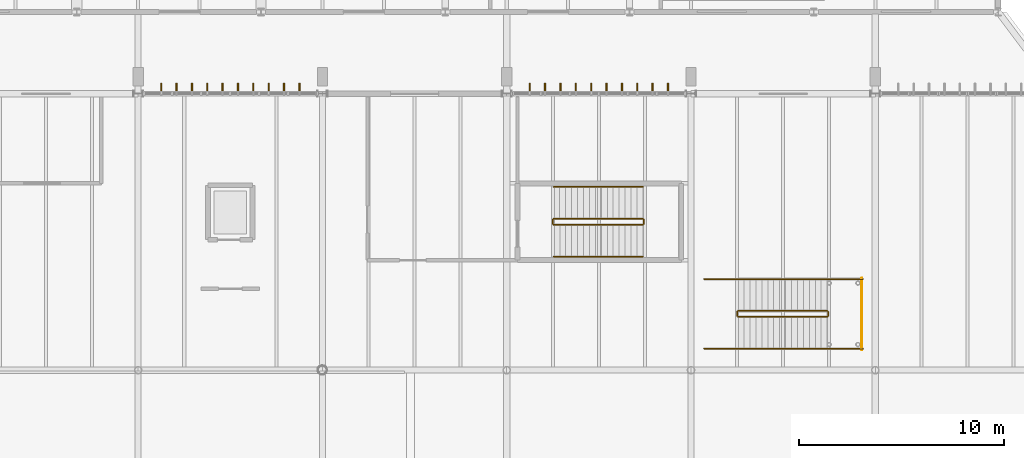
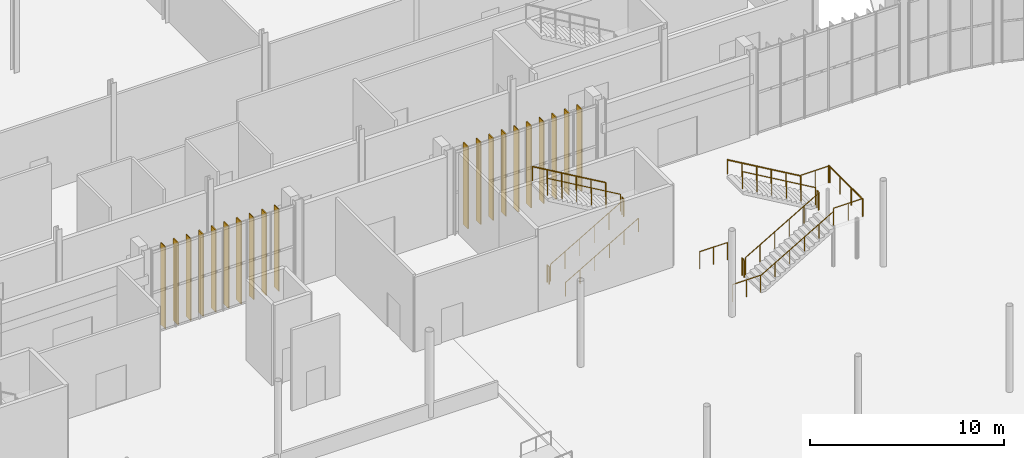
# One storey, part 149 of 158: 20 coverings, 17 railings.
"""IFC4 building model written with IfcOpenShell, lengths in metres."""

from ifc_helpers import new_model, si_unit, derived_unit, direction, frame, origin, origin_2d, place, context, subcontext, project, spatial, rectangle, circle, extrude, material, layer, layer_set, type_object, element, save


model = new_model("IFC4")

# Units and contexts
model_context = context("Model", 3, precision=1e-05, world=origin(), true_north=direction((0.0, 1.0)))
body_context = subcontext(model_context, "Body", "Model", "MODEL_VIEW")
ifc_project = project(units=[si_unit("LENGTHUNIT", "METRE"), si_unit("AREAUNIT", "SQUARE_METRE"), si_unit("VOLUMEUNIT", "CUBIC_METRE"), si_unit("PLANEANGLEUNIT", "RADIAN"), si_unit("MASSUNIT", "GRAM", prefix="KILO"), si_unit("THERMODYNAMICTEMPERATUREUNIT", "KELVIN"), si_unit("TIMEUNIT", "SECOND"), derived_unit("THERMALTRANSMITTANCEUNIT", [(si_unit("MASSUNIT", "GRAM", prefix="KILO"), 1), (si_unit("THERMODYNAMICTEMPERATUREUNIT", "KELVIN"), -1), (si_unit("TIMEUNIT", "SECOND"), -3)])], contexts=[model_context])

# Site, building, storey
site_placement = place(None, origin())
site = spatial("IfcSite", under=ifc_project, at=site_placement, CompositionType="ELEMENT")
building_placement = place(site_placement, origin())
building = spatial("IfcBuilding", under=site, at=building_placement, Name="Cambertide Market Hall", CompositionType="ELEMENT")
storey_placement = place(building_placement, origin())
storey = spatial("IfcBuildingStorey", under=building, at=storey_placement, Name="L01", CompositionType="ELEMENT", Elevation=0.0)

# Railings
ifc_material_1 = material(Name="Stainless Steel Grade 316", Category="metal")
railing_type_1 = type_object("IfcRailingType", Name="Stair Wall Handrail 900", PredefinedType="HANDRAIL", material=ifc_material_1)
railing_1_placement = place(storey_placement, frame((80.300048828125, 84.050048828125, 0.168701171875)))
element("IfcRailing", 1, at=railing_1_placement, inside=storey, type_object=railing_type_1, Name="Level 1 ST-01B stair handrail 1", PredefinedType="HANDRAIL", context=body_context, shape_type="SweptSolid", body=[
    extrude(circle(Radius=0.02392578125, at=origin_2d()), frame((0.0, 0.0, 0.8759765625), z_axis=(0.864311530196, 0.0, 0.502956835891), x_axis=(0.0, 1.0, 0.0)), (0.0, 0.0, 1.0), 5.03271484375),
    extrude(circle(Radius=0.02099609375, at=origin_2d()), origin(), (0.0, 0.0, 1.0), 0.851806640625),
    extrude(circle(Radius=0.02099609375, at=origin_2d()), frame((0.869873046875, 0.0, 0.50634765625)), (0.0, 0.0, 1.0), 0.851806640625),
    extrude(circle(Radius=0.02099609375, at=origin_2d()), frame((1.739990234375, 0.0, 1.012451171875)), (0.0, 0.0, 1.0), 0.851806640625),
    extrude(circle(Radius=0.02099609375, at=origin_2d()), frame((2.60986328125, 0.0, 1.518798828125)), (0.0, 0.0, 1.0), 0.851806640625),
    extrude(circle(Radius=0.02099609375, at=origin_2d()), frame((3.47998046875, 0.0, 2.02490234375)), (0.0, 0.0, 1.0), 0.851806640625),
    extrude(circle(Radius=0.02099609375, at=origin_2d()), frame((4.349853515625, 0.0, 2.53125)), (0.0, 0.0, 1.0), 0.851806640625),
])
railing_2_placement = place(storey_placement, frame((84.64990234375, 87.449951171875, 2.86865234375)))
element("IfcRailing", 2, at=railing_2_placement, inside=storey, type_object=railing_type_1, Name="Level 1 ST-01B stair handrail 2", PredefinedType="HANDRAIL", context=body_context, shape_type="SweptSolid", body=[
    extrude(circle(Radius=0.02392578125, at=origin_2d()), frame((0.0, 0.0, 0.8759765625), z_axis=(-0.864311530196, 0.0, 0.502956835891), x_axis=(0.0, -1.0, 0.0)), (0.0, 0.0, 1.0), 5.03271484375),
    extrude(circle(Radius=0.02099609375, at=origin_2d()), origin(), (0.0, 0.0, 1.0), 0.851806640625),
    extrude(circle(Radius=0.02099609375, at=origin_2d()), frame((-0.869873046875, 0.0, 0.50634765625)), (0.0, 0.0, 1.0), 0.851806640625),
    extrude(circle(Radius=0.02099609375, at=origin_2d()), frame((-1.739990234375, 0.0, 1.012451171875)), (0.0, 0.0, 1.0), 0.851806640625),
    extrude(circle(Radius=0.02099609375, at=origin_2d()), frame((-2.60986328125, 0.0, 1.518798828125)), (0.0, 0.0, 1.0), 0.851806640625),
    extrude(circle(Radius=0.02099609375, at=origin_2d()), frame((-3.47998046875, 0.0, 2.02490234375)), (0.0, 0.0, 1.0), 0.851806640625),
    extrude(circle(Radius=0.02099609375, at=origin_2d()), frame((-4.349853515625, 0.0, 2.53125)), (0.0, 0.0, 1.0), 0.851806640625),
])
railing_3_placement = place(storey_placement, frame((89.300048828125, 79.550048828125, 0.168701171875)))
element("IfcRailing", 3, at=railing_3_placement, inside=storey, type_object=railing_type_1, Name="Level 1 ST-11 stair handrail 1", PredefinedType="HANDRAIL", context=body_context, shape_type="SweptSolid", body=[
    extrude(circle(Radius=0.02392578125, at=origin_2d()), frame((0.0, 0.0, 0.8759765625), z_axis=(0.864311530196, 0.0, 0.502956835891), x_axis=(0.0, 1.0, 0.0)), (0.0, 0.0, 1.0), 5.03271484375),
    extrude(circle(Radius=0.02099609375, at=origin_2d()), origin(), (0.0, 0.0, 1.0), 0.851806640625),
    extrude(circle(Radius=0.02099609375, at=origin_2d()), frame((0.869873046875, 0.0, 0.50634765625)), (0.0, 0.0, 1.0), 0.851806640625),
    extrude(circle(Radius=0.02099609375, at=origin_2d()), frame((1.739990234375, 0.0, 1.012451171875)), (0.0, 0.0, 1.0), 0.851806640625),
    extrude(circle(Radius=0.02099609375, at=origin_2d()), frame((2.60986328125, 0.0, 1.518798828125)), (0.0, 0.0, 1.0), 0.851806640625),
    extrude(circle(Radius=0.02099609375, at=origin_2d()), frame((3.47998046875, 0.0, 2.02490234375)), (0.0, 0.0, 1.0), 0.851806640625),
    extrude(circle(Radius=0.02099609375, at=origin_2d()), frame((4.349853515625, 0.0, 2.53125)), (0.0, 0.0, 1.0), 0.851806640625),
])
railing_4_placement = place(storey_placement, frame((93.64990234375, 82.949951171875, 2.86865234375)))
element("IfcRailing", 4, at=railing_4_placement, inside=storey, type_object=railing_type_1, Name="Level 1 ST-11 stair handrail 2", PredefinedType="HANDRAIL", context=body_context, shape_type="SweptSolid", body=[
    extrude(circle(Radius=0.02392578125, at=origin_2d()), frame((0.0, 0.0, 0.8759765625), z_axis=(-0.864311530196, 0.0, 0.502956835891), x_axis=(0.0, -1.0, 0.0)), (0.0, 0.0, 1.0), 5.03271484375),
    extrude(circle(Radius=0.02099609375, at=origin_2d()), origin(), (0.0, 0.0, 1.0), 0.851806640625),
    extrude(circle(Radius=0.02099609375, at=origin_2d()), frame((-0.869873046875, 0.0, 0.50634765625)), (0.0, 0.0, 1.0), 0.851806640625),
    extrude(circle(Radius=0.02099609375, at=origin_2d()), frame((-1.739990234375, 0.0, 1.012451171875)), (0.0, 0.0, 1.0), 0.851806640625),
    extrude(circle(Radius=0.02099609375, at=origin_2d()), frame((-2.60986328125, 0.0, 1.518798828125)), (0.0, 0.0, 1.0), 0.851806640625),
    extrude(circle(Radius=0.02099609375, at=origin_2d()), frame((-3.47998046875, 0.0, 2.02490234375)), (0.0, 0.0, 1.0), 0.851806640625),
    extrude(circle(Radius=0.02099609375, at=origin_2d()), frame((-4.349853515625, 0.0, 2.53125)), (0.0, 0.0, 1.0), 0.851806640625),
])
ifc_material_2 = material(Name="Stainless Steel Grade 316", Category="metal")
railing_type_2 = type_object("IfcRailingType", Name="Stairwell Inner Guardrail 1100", PredefinedType="GUARDRAIL", material=ifc_material_2)
railing_5_placement = place(storey_placement, frame((80.300048828125, 85.60009765625, 0.168701171875)))
element("IfcRailing", 5, at=railing_5_placement, inside=storey, type_object=railing_type_2, Name="Level 1 ST-01B stair guard 1", PredefinedType="GUARDRAIL", context=body_context, shape_type="SweptSolid", body=[
    extrude(circle(Radius=0.02392578125, at=origin_2d()), frame((0.0, 0.0, 1.076171875), z_axis=(0.864311530196, 0.0, 0.502956835891), x_axis=(0.0, 1.0, 0.0)), (0.0, 0.0, 1.0), 5.03271484375),
    extrude(circle(Radius=0.02099609375, at=origin_2d()), origin(), (0.0, 0.0, 1.0), 1.052001953125),
    extrude(circle(Radius=0.02099609375, at=origin_2d()), frame((0.869873046875, 0.0, 0.50634765625)), (0.0, 0.0, 1.0), 1.052001953125),
    extrude(circle(Radius=0.02099609375, at=origin_2d()), frame((1.739990234375, 0.0, 1.012451171875)), (0.0, 0.0, 1.0), 1.052001953125),
    extrude(circle(Radius=0.02099609375, at=origin_2d()), frame((2.60986328125, 0.0, 1.518798828125)), (0.0, 0.0, 1.0), 1.052001953125),
    extrude(circle(Radius=0.02099609375, at=origin_2d()), frame((3.47998046875, 0.0, 2.02490234375)), (0.0, 0.0, 1.0), 1.052001953125),
    extrude(circle(Radius=0.02099609375, at=origin_2d()), frame((4.349853515625, 0.0, 2.53125)), (0.0, 0.0, 1.0), 1.052001953125),
])
railing_6_placement = place(storey_placement, frame((84.699951171875, 85.64990234375, 2.699951171875)))
element("IfcRailing", 6, at=railing_6_placement, inside=storey, type_object=railing_type_2, Name="Level 1 ST-01B stair guard 2", PredefinedType="GUARDRAIL", context=body_context, shape_type="SweptSolid", body=[
    extrude(circle(Radius=0.02392578125, at=origin_2d()), frame((0.0, 0.0, 1.076171875), z_axis=(0.0, 1.0, 0.0), x_axis=(-1.0, 0.0, 0.0)), (0.0, 0.0, 1.0), 0.2001953125),
    extrude(circle(Radius=0.02099609375, at=origin_2d()), origin(), (0.0, 0.0, 1.0), 1.052001953125),
    extrude(circle(Radius=0.02099609375, at=origin_2d()), frame((0.0, 0.2001953125, 0.0)), (0.0, 0.0, 1.0), 1.052001953125),
])
railing_7_placement = place(storey_placement, frame((84.64990234375, 85.89990234375, 2.86865234375)))
element("IfcRailing", 7, at=railing_7_placement, inside=storey, type_object=railing_type_2, Name="Level 1 ST-01B stair guard 3", PredefinedType="GUARDRAIL", context=body_context, shape_type="SweptSolid", body=[
    extrude(circle(Radius=0.02392578125, at=origin_2d()), frame((0.0, 0.0, 1.076171875), z_axis=(-0.864311530196, 0.0, 0.502956835891), x_axis=(0.0, -1.0, 0.0)), (0.0, 0.0, 1.0), 5.03271484375),
    extrude(circle(Radius=0.02099609375, at=origin_2d()), origin(), (0.0, 0.0, 1.0), 1.052001953125),
    extrude(circle(Radius=0.02099609375, at=origin_2d()), frame((-0.869873046875, 0.0, 0.50634765625)), (0.0, 0.0, 1.0), 1.052001953125),
    extrude(circle(Radius=0.02099609375, at=origin_2d()), frame((-1.739990234375, 0.0, 1.012451171875)), (0.0, 0.0, 1.0), 1.052001953125),
    extrude(circle(Radius=0.02099609375, at=origin_2d()), frame((-2.60986328125, 0.0, 1.518798828125)), (0.0, 0.0, 1.0), 1.052001953125),
    extrude(circle(Radius=0.02099609375, at=origin_2d()), frame((-3.47998046875, 0.0, 2.02490234375)), (0.0, 0.0, 1.0), 1.052001953125),
    extrude(circle(Radius=0.02099609375, at=origin_2d()), frame((-4.349853515625, 0.0, 2.53125)), (0.0, 0.0, 1.0), 1.052001953125),
])
railing_8_placement = place(storey_placement, frame((80.25, 85.64990234375, 0.0)))
element("IfcRailing", 8, at=railing_8_placement, inside=storey, type_object=railing_type_2, Name="Level 1 ST-01B stair guard 4", PredefinedType="GUARDRAIL", context=body_context, shape_type="SweptSolid", body=[
    extrude(circle(Radius=0.02392578125, at=origin_2d()), frame((0.0, 0.0, 1.076171875), z_axis=(0.0, 1.0, 0.0), x_axis=(-1.0, 0.0, 0.0)), (0.0, 0.0, 1.0), 0.2001953125),
    extrude(circle(Radius=0.02099609375, at=origin_2d()), origin(), (0.0, 0.0, 1.0), 1.052001953125),
    extrude(circle(Radius=0.02099609375, at=origin_2d()), frame((0.0, 0.2001953125, 0.0)), (0.0, 0.0, 1.0), 1.052001953125),
])
railing_9_placement = place(storey_placement, frame((89.300048828125, 81.10009765625, 0.168701171875)))
element("IfcRailing", 9, at=railing_9_placement, inside=storey, type_object=railing_type_2, Name="Level 1 ST-11 stair guard 1", PredefinedType="GUARDRAIL", context=body_context, shape_type="SweptSolid", body=[
    extrude(circle(Radius=0.02392578125, at=origin_2d()), frame((0.0, 0.0, 1.076171875), z_axis=(0.864311530196, 0.0, 0.502956835891), x_axis=(0.0, 1.0, 0.0)), (0.0, 0.0, 1.0), 5.03271484375),
    extrude(circle(Radius=0.02099609375, at=origin_2d()), origin(), (0.0, 0.0, 1.0), 1.052001953125),
    extrude(circle(Radius=0.02099609375, at=origin_2d()), frame((0.869873046875, 0.0, 0.50634765625)), (0.0, 0.0, 1.0), 1.052001953125),
    extrude(circle(Radius=0.02099609375, at=origin_2d()), frame((1.739990234375, 0.0, 1.012451171875)), (0.0, 0.0, 1.0), 1.052001953125),
    extrude(circle(Radius=0.02099609375, at=origin_2d()), frame((2.60986328125, 0.0, 1.518798828125)), (0.0, 0.0, 1.0), 1.052001953125),
    extrude(circle(Radius=0.02099609375, at=origin_2d()), frame((3.47998046875, 0.0, 2.02490234375)), (0.0, 0.0, 1.0), 1.052001953125),
    extrude(circle(Radius=0.02099609375, at=origin_2d()), frame((4.349853515625, 0.0, 2.53125)), (0.0, 0.0, 1.0), 1.052001953125),
])
railing_10_placement = place(storey_placement, frame((93.699951171875, 81.14990234375, 2.699951171875)))
element("IfcRailing", 10, at=railing_10_placement, inside=storey, type_object=railing_type_2, Name="Level 1 ST-11 stair guard 2", PredefinedType="GUARDRAIL", context=body_context, shape_type="SweptSolid", body=[
    extrude(circle(Radius=0.02392578125, at=origin_2d()), frame((0.0, 0.0, 1.076171875), z_axis=(0.0, 1.0, 0.0), x_axis=(-1.0, 0.0, 0.0)), (0.0, 0.0, 1.0), 0.2001953125),
    extrude(circle(Radius=0.02099609375, at=origin_2d()), origin(), (0.0, 0.0, 1.0), 1.052001953125),
    extrude(circle(Radius=0.02099609375, at=origin_2d()), frame((0.0, 0.2001953125, 0.0)), (0.0, 0.0, 1.0), 1.052001953125),
])
for number, where, name in (
    (11, (93.64990234375, 79.550048828125, 2.699951171875), "Level 1 ST-11 stair guard 3"),
    (12, (93.64990234375, 82.949951171875, 2.699951171875), "Level 1 ST-11 stair guard 4"),
):
    element("IfcRailing", number, at=place(storey_placement, frame(where)), inside=storey, type_object=railing_type_2, Name=name, PredefinedType="GUARDRAIL", context=body_context, shape_type="SweptSolid", body=[
        extrude(circle(Radius=0.02392578125, at=origin_2d()), frame((0.0, 0.0, 1.076171875), z_axis=(1.0, 0.0, 0.0), x_axis=(0.0, 1.0, 0.0)), (0.0, 0.0, 1.0), 1.75),
        extrude(circle(Radius=0.02099609375, at=origin_2d()), origin(), (0.0, 0.0, 1.0), 1.052001953125),
        extrude(circle(Radius=0.02099609375, at=origin_2d()), frame((0.875, 0.0, 0.0)), (0.0, 0.0, 1.0), 1.052001953125),
        extrude(circle(Radius=0.02099609375, at=origin_2d()), frame((1.75, 0.0, 0.0)), (0.0, 0.0, 1.0), 1.052001953125),
    ])
railing_11_placement = place(storey_placement, frame((95.35009765625, 79.5, 2.699951171875)))
element("IfcRailing", 13, at=railing_11_placement, inside=storey, type_object=railing_type_2, Name="Level 1 ST-11 stair guard 5", PredefinedType="GUARDRAIL", context=body_context, shape_type="SweptSolid", body=[
    extrude(circle(Radius=0.02392578125, at=origin_2d()), frame((0.0, 0.0, 1.076171875), z_axis=(0.0, 1.0, 0.0), x_axis=(-1.0, 0.0, 0.0)), (0.0, 0.0, 1.0), 3.5),
    extrude(circle(Radius=0.02099609375, at=origin_2d()), origin(), (0.0, 0.0, 1.0), 1.052001953125),
    extrude(circle(Radius=0.02099609375, at=origin_2d()), frame((0.0, 1.166748046875, 0.0)), (0.0, 0.0, 1.0), 1.052001953125),
    extrude(circle(Radius=0.02099609375, at=origin_2d()), frame((0.0, 2.333251953125, 0.0)), (0.0, 0.0, 1.0), 1.052001953125),
    extrude(circle(Radius=0.02099609375, at=origin_2d()), frame((0.0, 3.5, 0.0)), (0.0, 0.0, 1.0), 1.052001953125),
])
railing_12_placement = place(storey_placement, frame((93.64990234375, 81.39990234375, 2.86865234375)))
element("IfcRailing", 14, at=railing_12_placement, inside=storey, type_object=railing_type_2, Name="Level 1 ST-11 stair guard 6", PredefinedType="GUARDRAIL", context=body_context, shape_type="SweptSolid", body=[
    extrude(circle(Radius=0.02392578125, at=origin_2d()), frame((0.0, 0.0, 1.076171875), z_axis=(-0.864311530196, 0.0, 0.502956835891), x_axis=(0.0, -1.0, 0.0)), (0.0, 0.0, 1.0), 5.03271484375),
    extrude(circle(Radius=0.02099609375, at=origin_2d()), origin(), (0.0, 0.0, 1.0), 1.052001953125),
    extrude(circle(Radius=0.02099609375, at=origin_2d()), frame((-0.869873046875, 0.0, 0.50634765625)), (0.0, 0.0, 1.0), 1.052001953125),
    extrude(circle(Radius=0.02099609375, at=origin_2d()), frame((-1.739990234375, 0.0, 1.012451171875)), (0.0, 0.0, 1.0), 1.052001953125),
    extrude(circle(Radius=0.02099609375, at=origin_2d()), frame((-2.60986328125, 0.0, 1.518798828125)), (0.0, 0.0, 1.0), 1.052001953125),
    extrude(circle(Radius=0.02099609375, at=origin_2d()), frame((-3.47998046875, 0.0, 2.02490234375)), (0.0, 0.0, 1.0), 1.052001953125),
    extrude(circle(Radius=0.02099609375, at=origin_2d()), frame((-4.349853515625, 0.0, 2.53125)), (0.0, 0.0, 1.0), 1.052001953125),
])
railing_13_placement = place(storey_placement, frame((89.25, 81.14990234375, 0.0)))
element("IfcRailing", 15, at=railing_13_placement, inside=storey, type_object=railing_type_2, Name="Level 1 ST-11 stair guard 7", PredefinedType="GUARDRAIL", context=body_context, shape_type="SweptSolid", body=[
    extrude(circle(Radius=0.02392578125, at=origin_2d()), frame((0.0, 0.0, 1.076171875), z_axis=(0.0, 1.0, 0.0), x_axis=(-1.0, 0.0, 0.0)), (0.0, 0.0, 1.0), 0.2001953125),
    extrude(circle(Radius=0.02099609375, at=origin_2d()), origin(), (0.0, 0.0, 1.0), 1.052001953125),
    extrude(circle(Radius=0.02099609375, at=origin_2d()), frame((0.0, 0.2001953125, 0.0)), (0.0, 0.0, 1.0), 1.052001953125),
])
for number, where, name in (
    (16, (87.64990234375, 79.550048828125, 0.0), "Level 1 ST-11 stair guard 8"),
    (17, (87.64990234375, 82.949951171875, 0.0), "Level 1 ST-11 stair guard 9"),
):
    element("IfcRailing", number, at=place(storey_placement, frame(where)), inside=storey, type_object=railing_type_2, Name=name, PredefinedType="GUARDRAIL", context=body_context, shape_type="SweptSolid", body=[
        extrude(circle(Radius=0.02392578125, at=origin_2d()), frame((0.0, 0.0, 1.076171875), z_axis=(1.0, 0.0, 0.0), x_axis=(0.0, 1.0, 0.0)), (0.0, 0.0, 1.0), 1.650146484375),
        extrude(circle(Radius=0.02099609375, at=origin_2d()), origin(), (0.0, 0.0, 1.0), 1.052001953125),
        extrude(circle(Radius=0.02099609375, at=origin_2d()), frame((0.8251953125, 0.0, 0.0)), (0.0, 0.0, 1.0), 1.052001953125),
        extrude(circle(Radius=0.02099609375, at=origin_2d()), frame((1.650146484375, 0.0, 0.0)), (0.0, 0.0, 1.0), 1.052001953125),
    ])

# Coverings
ifc_material_3 = material(Name="White Marine Anodized Aluminium 6063-T6 AA25", Category="aluminium")
ifc_layer = layer(ifc_material_3, 0.06005859375, Name="White Anodized Lantern Vertical Fin 480x60")
ifc_layer_set = layer_set([ifc_layer], Name="White Marine Anodized Aluminium 6063-T6 AA25")
covering_type = type_object("IfcCoveringType", Name="White Anodized Lantern Vertical Fin 480x60", PredefinedType="CLADDING", material=ifc_layer_set)
for number, where, z_axis, x_axis, name in (
    (18, (61.125, 92.260009765625, 0.0), (0.0, 0.0, 1.0), (1.0, 0.0, 0.0), "CW-V1N-L01-3 Vertical Fin 1"),
    (19, (61.875, 92.260009765625, 0.0), (0.0, 0.0, 1.0), (1.0, 0.0, 0.0), "CW-V1N-L01-3 Vertical Fin 2"),
    (20, (62.625, 92.260009765625, 0.0), (0.0, 0.0, 1.0), (1.0, 0.0, 0.0), "CW-V1N-L01-3 Vertical Fin 3"),
    (21, (63.375, 92.260009765625, 0.0), (0.0, 0.0, 1.0), (1.0, 0.0, 0.0), "CW-V1N-L01-3 Vertical Fin 4"),
    (22, (64.125, 92.260009765625, 0.0), (0.0, 0.0, 1.0), (1.0, 0.0, 0.0), "CW-V1N-L01-3 Vertical Fin 5"),
    (23, (64.875, 92.260009765625, 0.0), (0.0, 0.0, 1.0), (1.0, 0.0, 0.0), "CW-V1N-L01-3 Vertical Fin 6"),
    (24, (65.625, 92.260009765625, 0.0), (0.0, 0.0, 1.0), (1.0, 0.0, 0.0), "CW-V1N-L01-3 Vertical Fin 7"),
    (25, (66.375, 92.260009765625, 0.0), (0.0, 0.0, 1.0), (1.0, 0.0, 0.0), "CW-V1N-L01-3 Vertical Fin 8"),
    (26, (67.125, 92.260009765625, 0.0), (0.0, 0.0, 1.0), (1.0, 0.0, 0.0), "CW-V1N-L01-3 Vertical Fin 9"),
    (27, (67.875, 92.260009765625, 0.0), (0.0, 0.0, 1.0), (1.0, 0.0, 0.0), "CW-V1N-L01-3 Vertical Fin 10"),
    (28, (79.125, 92.260009765625, 0.0), (0.0, 0.0, 1.0), (1.0, 0.0, 0.0), "CW-V1N-L01-5 Vertical Fin 1"),
    (29, (79.875, 92.260009765625, 0.0), (0.0, 0.0, 1.0), (1.0, 0.0, 0.0), "CW-V1N-L01-5 Vertical Fin 2"),
    (30, (80.625, 92.260009765625, 0.0), (0.0, 0.0, 1.0), (1.0, 0.0, 0.0), "CW-V1N-L01-5 Vertical Fin 3"),
    (31, (81.375, 92.260009765625, 0.0), (0.0, 0.0, 1.0), (1.0, 0.0, 0.0), "CW-V1N-L01-5 Vertical Fin 4"),
    (32, (82.125, 92.260009765625, 0.0), (0.0, 0.0, 1.0), (1.0, 0.0, 0.0), "CW-V1N-L01-5 Vertical Fin 5"),
    (33, (82.875, 92.260009765625, 0.0), (0.0, 0.0, 1.0), (1.0, 0.0, 0.0), "CW-V1N-L01-5 Vertical Fin 6"),
    (34, (83.625, 92.260009765625, 0.0), (0.0, 0.0, 1.0), (1.0, 0.0, 0.0), "CW-V1N-L01-5 Vertical Fin 7"),
    (35, (84.375, 92.260009765625, 0.0), (0.0, 0.0, 1.0), (1.0, 0.0, 0.0), "CW-V1N-L01-5 Vertical Fin 8"),
    (36, (85.125, 92.260009765625, 0.0), (0.0, 0.0, 1.0), (1.0, 0.0, 0.0), "CW-V1N-L01-5 Vertical Fin 9"),
    (37, (85.875, 92.260009765625, 0.0), (0.0, 0.0, 1.0), (1.0, 0.0, 0.0), "CW-V1N-L01-5 Vertical Fin 10"),
):
    element("IfcCovering", number, at=place(storey_placement, frame(where, z_axis=z_axis, x_axis=x_axis)), inside=storey, type_object=covering_type, Name=name, PredefinedType="CLADDING", context=body_context, shape_type="SweptSolid", body=[
        extrude(rectangle(XDim=0.06005859375, YDim=0.47998046875, at=origin_2d()), origin(), (0.0, 0.0, 1.0), 5.159912109375),
    ])

save(model, "model.ifc")
